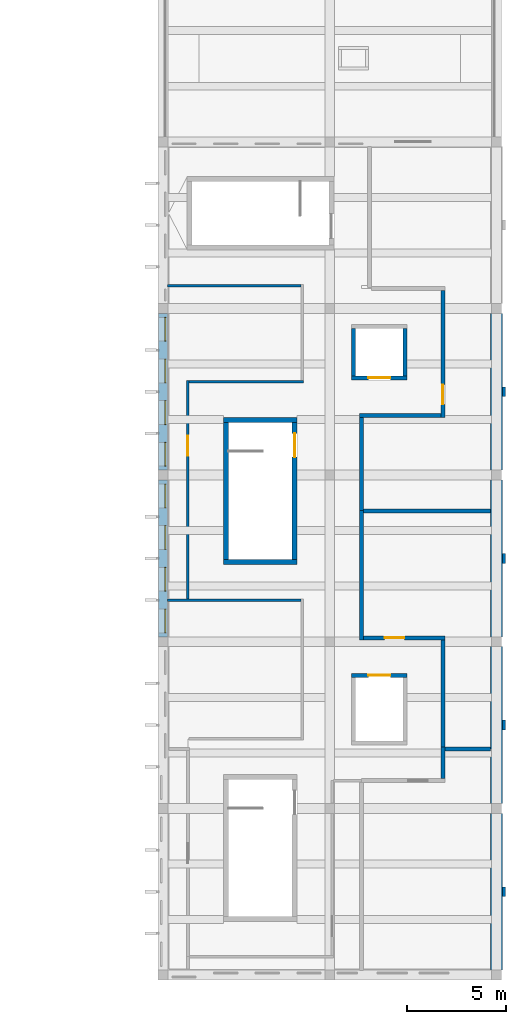
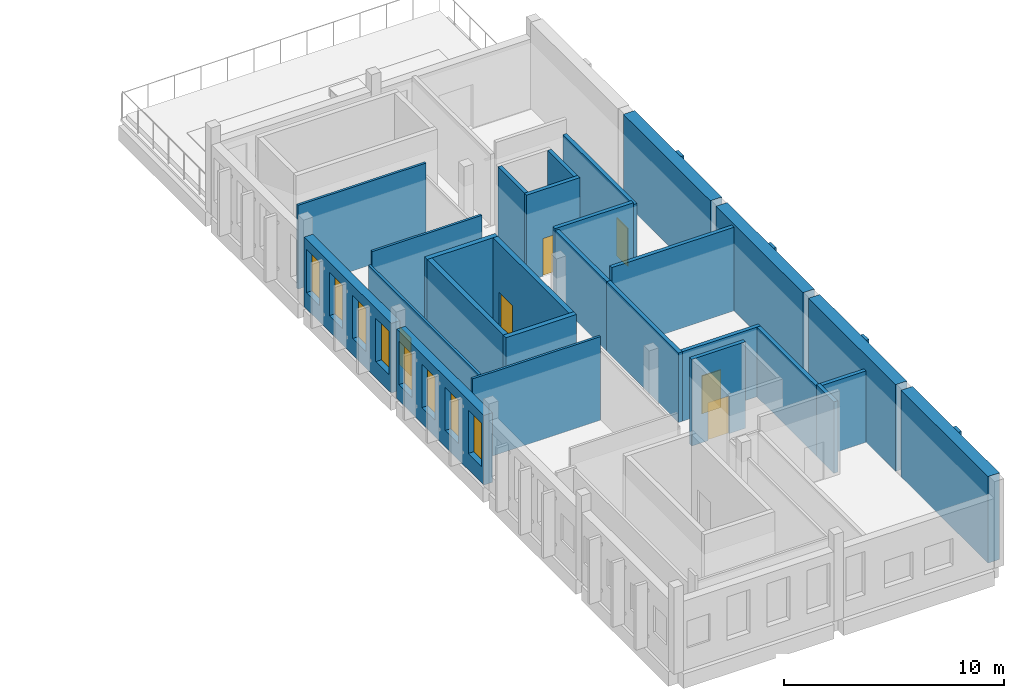
# One storey, part 27 of 47: 31 walls, 8 windows, 6 doors, 14 openings.
"""IFC4 building model written with IfcOpenShell, lengths in metres."""

from ifc_helpers import new_model, si_unit, direction, frame, frame_2d, origin, place, context, subcontext, project, spatial, rectangle, extrude, material, layer, layer_set, type_object, element, fill, save


model = new_model("IFC4")

# Units and contexts
model_context = context("Model", 3, precision=1e-05, world=origin(), true_north=direction((0.0, 1.0)))
body_context = subcontext(model_context, "Body", "Model", "MODEL_VIEW")
ifc_project = project(units=[si_unit("LENGTHUNIT", "METRE"), si_unit("AREAUNIT", "SQUARE_METRE"), si_unit("VOLUMEUNIT", "CUBIC_METRE"), si_unit("PLANEANGLEUNIT", "RADIAN"), si_unit("MASSUNIT", "GRAM", prefix="KILO")], contexts=[model_context])

# Site, building, storey
site_placement = place(None, origin())
site = spatial("IfcSite", under=ifc_project, at=site_placement, CompositionType="ELEMENT")
building_placement = place(site_placement, origin())
building = spatial("IfcBuilding", under=site, at=building_placement, Name="Larchfold Concert Hall", CompositionType="ELEMENT")
storey_placement = place(building_placement, frame((0.0, 0.0, 24.0)))
storey = spatial("IfcBuildingStorey", under=building, at=storey_placement, Name="L05", CompositionType="ELEMENT", Elevation=24.0)

# Walls
ifc_material_1 = material(Name="Plasterboard partition on steel studs", Category="steel")
ifc_layer_1 = layer(ifc_material_1, 0.199951171875)
ifc_layer_set_1 = layer_set([ifc_layer_1], Name="Plasterboard partition on steel studs")
wall_type_1 = type_object("IfcWallType", Name="Acoustic partition 200", PredefinedType="PARTITIONING", material=ifc_layer_set_1)
wall_1_placement = place(storey_placement, frame((98.699951171875, 10.5, 0.0), z_axis=(0.0, 0.0, 1.0), x_axis=(0.0, 1.0, 0.0)))
element("IfcWall", 1, at=wall_1_placement, inside=storey, type_object=wall_type_1, Name="Partition IW0052", PredefinedType="PARTITIONING", context=body_context, shape_type="SweptSolid", body=[
    extrude(rectangle(XDim=1.60009765625, YDim=0.199951171875, at=frame_2d((0.800048828125, 0.0))), origin(), (0.0, 0.0, 1.0), 3.9599609375),
])
wall_2_placement = place(storey_placement, frame((98.800048828125, 12.0, 0.0), z_axis=(0.0, 0.0, 1.0), x_axis=(1.0, 0.0, 0.0)))
element("IfcWall", 2, at=wall_2_placement, inside=storey, type_object=wall_type_1, Name="Partition IW0053", PredefinedType="PARTITIONING", context=body_context, shape_type="SweptSolid", body=[
    extrude(rectangle(XDim=2.300048828125, YDim=0.199951171875, at=frame_2d((1.14990234375, 0.0))), origin(), (0.0, 0.0, 1.0), 3.9599609375),
])
wall_3_placement = place(storey_placement, frame((94.59912109375, 24.02001953125, 0.0), z_axis=(0.0, 0.0, 1.0), x_axis=(0.0, -1.0, 0.0)))
element("IfcWall", 3, at=wall_3_placement, inside=storey, type_object=wall_type_1, Name="Partition IW0061", PredefinedType="PARTITIONING", context=body_context, shape_type="SweptSolid", body=[
    extrude(rectangle(XDim=6.52001953125, YDim=0.199951171875, at=frame_2d((3.260009765625, 0.0))), origin(), (0.0, 0.0, 1.0), 3.860107421875),
])

# Wall, opening, door
wall_4_placement = place(storey_placement, frame((94.698974609375, 17.60009765625, 0.0), z_axis=(0.0, 0.0, 1.0), x_axis=(0.99999995568, -0.000297725365, 0.0)))
wall_4 = element("IfcWall", 4, at=wall_4_placement, inside=storey, type_object=wall_type_1, Name="Partition IW0062", PredefinedType="PARTITIONING", context=body_context, shape_type="SweptSolid", body=[
    extrude(rectangle(XDim=4.10009765625, YDim=0.199951171875, at=frame_2d((2.050048828125, 0.0))), origin(), (0.0, 0.0, 1.0), 3.860107421875),
])
opening_1_placement = place(wall_4_placement, frame((1.060546875, 0.0, 0.0)))
opening_1 = element("IfcOpeningElement", 5, at=opening_1_placement, cuts=wall_4, Name="Opening D-L05-113", PredefinedType="OPENING", context=body_context, shape_type="SweptSolid", body=[
    extrude(rectangle(XDim=1.0, YDim=2.10009765625, at=frame_2d((0.5, 1.050048828125))), frame((0.0, 0.10986328125, 0.0), z_axis=(0.0, -1.0, 0.0), x_axis=(1.0, 0.0, 0.0)), (0.0, 0.0, 1.0), 0.219970703125),
])
ifc_material_2 = material(Name="Timber door leaf", Category="wood")
door_type_1 = type_object("IfcDoorType", Name="Practice and studio door, acoustic 1000 x 2100 FD30S", OperationType="SINGLE_SWING_LEFT", PredefinedType="DOOR", material=ifc_material_2)
door_1_placement = place(opening_1_placement, origin())
door_1 = element("IfcDoor", 6, at=door_1_placement, inside=storey, type_object=door_type_1, Name="Door D-L05-113", OperationType="SINGLE_SWING_LEFT", OverallHeight=2.10009765625, OverallWidth=1.0, PredefinedType="DOOR", context=body_context, shape_type="SweptSolid", body=[
    extrude(rectangle(XDim=1.0, YDim=2.10009765625, at=frame_2d((0.5, 1.050048828125))), frame((0.0, 0.02490234375, 0.0), z_axis=(0.0, -1.0, 0.0), x_axis=(1.0, 0.0, 0.0)), (0.0, 0.0, 1.0), 0.050048828125),
])
fill(opening_1, door_1)

# Wall
wall_5_placement = place(storey_placement, frame((98.698974609375, 17.4990234375, 0.0), z_axis=(0.0, 0.0, 1.0), x_axis=(0.0, -1.0, 0.0)))
element("IfcWall", 7, at=wall_5_placement, inside=storey, type_object=wall_type_1, Name="Partition IW0063", PredefinedType="PARTITIONING", context=body_context, shape_type="SweptSolid", body=[
    extrude(rectangle(XDim=5.39892578125, YDim=0.199951171875, at=frame_2d((2.699462890625, 0.0))), origin(), (0.0, 0.0, 1.0), 3.860107421875),
])

# Wall, opening, door
wall_6_placement = place(storey_placement, frame((98.698974609375, 35.09912109375, 0.0), z_axis=(0.0, 0.0, 1.0), x_axis=(0.0, -1.0, 0.0)))
wall_6 = element("IfcWall", 8, at=wall_6_placement, inside=storey, type_object=wall_type_1, Name="Partition IW0066", PredefinedType="PARTITIONING", context=body_context, shape_type="SweptSolid", body=[
    extrude(rectangle(XDim=6.398193359375, YDim=0.199951171875, at=frame_2d((3.19921875, 0.0))), origin(), (0.0, 0.0, 1.0), 3.860107421875),
])
opening_2_placement = place(wall_6_placement, frame((4.733642578125, 0.0, 0.0)))
opening_2 = element("IfcOpeningElement", 9, at=opening_2_placement, cuts=wall_6, Name="Opening D-L05-114", PredefinedType="OPENING", context=body_context, shape_type="SweptSolid", body=[
    extrude(rectangle(XDim=1.0, YDim=2.10009765625, at=frame_2d((0.5, 1.050048828125))), frame((0.0, 0.10986328125, 0.0), z_axis=(0.0, -1.0, 0.0), x_axis=(1.0, 0.0, 0.0)), (0.0, 0.0, 1.0), 0.219970703125),
])
door_2_placement = place(opening_2_placement, origin())
door_2 = element("IfcDoor", 10, at=door_2_placement, inside=storey, type_object=door_type_1, Name="Door D-L05-114", OperationType="SINGLE_SWING_LEFT", OverallHeight=2.10009765625, OverallWidth=1.0, PredefinedType="DOOR", context=body_context, shape_type="SweptSolid", body=[
    extrude(rectangle(XDim=1.0, YDim=2.10009765625, at=frame_2d((0.5, 1.050048828125))), frame((0.0, 0.02490234375, 0.0), z_axis=(0.0, -1.0, 0.0), x_axis=(1.0, 0.0, 0.0)), (0.0, 0.0, 1.0), 0.050048828125),
])
fill(opening_2, door_2)

# Walls
wall_7_placement = place(storey_placement, frame((98.59912109375, 28.801025390625, 0.0), z_axis=(0.0, 0.0, 1.0), x_axis=(-1.0, 0.0, 0.0)))
element("IfcWall", 11, at=wall_7_placement, inside=storey, type_object=wall_type_1, Name="Partition IW0067", PredefinedType="PARTITIONING", context=body_context, shape_type="SweptSolid", body=[
    extrude(rectangle(XDim=4.10009765625, YDim=0.199951171875, at=frame_2d((2.050048828125, 0.0))), origin(), (0.0, 0.0, 1.0), 3.9599609375),
])
wall_8_placement = place(storey_placement, frame((94.59912109375, 28.700927734375, 0.0), z_axis=(0.0, 0.0, 1.0), x_axis=(0.0, -1.0, 0.0)))
element("IfcWall", 12, at=wall_8_placement, inside=storey, type_object=wall_type_1, Name="Partition IW0068", PredefinedType="PARTITIONING", context=body_context, shape_type="SweptSolid", body=[
    extrude(rectangle(XDim=4.680908203125, YDim=0.199951171875, at=frame_2d((2.34033203125, 0.0))), origin(), (0.0, 0.0, 1.0), 3.860107421875),
])
wall_9_placement = place(storey_placement, frame((94.699951171875, 24.0, 0.0), z_axis=(0.0, 0.0, 1.0), x_axis=(1.0, 0.0, 0.0)))
element("IfcWall", 13, at=wall_9_placement, inside=storey, type_object=wall_type_1, Name="Partition IW0069", PredefinedType="PARTITIONING", context=body_context, shape_type="SweptSolid", body=[
    extrude(rectangle(XDim=6.400146484375, YDim=0.199951171875, at=frame_2d((3.2001953125, 0.0))), origin(), (0.0, 0.0, 1.0), 4.639892578125),
])
ifc_material_3 = material(Name="Plasterboard partition on steel studs", Category="steel")
ifc_layer_2 = layer(ifc_material_3, 0.125)
ifc_layer_set_2 = layer_set([ifc_layer_2], Name="Plasterboard partition on steel studs")
wall_type_2 = type_object("IfcWallType", Name="Corridor partition 125 EI 60", PredefinedType="PARTITIONING", material=ifc_layer_set_2)
wall_10_placement = place(storey_placement, frame((91.53857421875, 19.5009765625, 0.0), z_axis=(0.0, 0.0, 1.0), x_axis=(-1.0, 0.0, 0.0)))
element("IfcWall", 14, at=wall_10_placement, inside=storey, type_object=wall_type_2, Name="Partition IW0055", PredefinedType="PARTITIONING", context=body_context, shape_type="SweptSolid", body=[
    extrude(rectangle(XDim=6.71337890625, YDim=0.125, at=frame_2d((3.356689453125, 0.0))), origin(), (0.0, 0.0, 1.0), 4.639892578125),
])

# Wall, opening, door
wall_11_placement = place(storey_placement, frame((85.85107421875, 19.5634765625, 0.0), z_axis=(0.0, 0.0, 1.0), x_axis=(0.0, 1.0, 0.0)))
wall_11 = element("IfcWall", 15, at=wall_11_placement, inside=storey, type_object=wall_type_2, Name="Partition IW0056", PredefinedType="PARTITIONING", context=body_context, shape_type="SweptSolid", body=[
    extrude(rectangle(XDim=10.998046875, YDim=0.125, at=frame_2d((5.4990234375, 0.0))), origin(), (0.0, 0.0, 1.0), 3.860107421875),
])
opening_3_placement = place(wall_11_placement, frame((7.220947265625, 0.0, 0.0)))
opening_3 = element("IfcOpeningElement", 16, at=opening_3_placement, cuts=wall_11, Name="Opening D-L05-112", PredefinedType="OPENING", context=body_context, shape_type="SweptSolid", body=[
    extrude(rectangle(XDim=1.0, YDim=2.10009765625, at=frame_2d((0.5, 1.050048828125))), frame((0.0, 0.072509765625, 0.0), z_axis=(0.0, -1.0, 0.0), x_axis=(1.0, 0.0, 0.0)), (0.0, 0.0, 1.0), 0.14501953125),
])
ifc_material_4 = material(Name="Timber door leaf", Category="wood")
door_type_2 = type_object("IfcDoorType", Name="Room door 1000 x 2100 FD30S", OperationType="SINGLE_SWING_LEFT", PredefinedType="DOOR", material=ifc_material_4)
door_3_placement = place(opening_3_placement, origin())
door_3 = element("IfcDoor", 17, at=door_3_placement, inside=storey, type_object=door_type_2, Name="Door D-L05-112", OperationType="SINGLE_SWING_RIGHT", OverallHeight=2.10009765625, OverallWidth=1.0, PredefinedType="DOOR", context=body_context, shape_type="SweptSolid", body=[
    extrude(rectangle(XDim=1.0, YDim=2.10009765625, at=frame_2d((0.5, 1.050048828125))), frame((0.0, 0.02490234375, 0.0), z_axis=(0.0, -1.0, 0.0), x_axis=(1.0, 0.0, 0.0)), (0.0, 0.0, 1.0), 0.050048828125),
])
fill(opening_3, door_3)

# Walls
wall_12_placement = place(storey_placement, frame((85.91357421875, 30.4990234375, 0.0), z_axis=(0.0, 0.0, 1.0), x_axis=(1.0, 0.0, 0.0)))
element("IfcWall", 18, at=wall_12_placement, inside=storey, type_object=wall_type_2, Name="Partition IW0057", PredefinedType="PARTITIONING", context=body_context, shape_type="SweptSolid", body=[
    extrude(rectangle(XDim=5.75, YDim=0.125, at=frame_2d((2.875, 0.0))), origin(), (0.0, 0.0, 1.0), 4.639892578125),
])
wall_13_placement = place(storey_placement, frame((91.53857421875, 35.35009765625, 0.0), z_axis=(0.0, 0.0, 1.0), x_axis=(-0.99999998942, 0.000145465123, 0.0)))
element("IfcWall", 19, at=wall_13_placement, inside=storey, type_object=wall_type_2, Name="Partition IW0059", PredefinedType="PARTITIONING", context=body_context, shape_type="SweptSolid", body=[
    extrude(rectangle(XDim=6.71337890625, YDim=0.125, at=frame_2d((3.356689453125, 0.0))), origin(), (0.0, 0.0, 1.0), 4.639892578125),
])

# Wall, opening, door
ifc_material_5 = material(Name="Concrete C40/50", Category="concrete")
ifc_layer_3 = layer(ifc_material_5, 0.199951171875)
ifc_layer_set_3 = layer_set([ifc_layer_3], Name="Concrete C40/50")
wall_type_3 = type_object("IfcWallType", Name="Wall RC 200 lift shaft", PredefinedType="SOLIDWALL", material=ifc_layer_set_3)
wall_14_placement = place(storey_placement, frame((94.10009765625, 15.699951171875, 0.0), z_axis=(0.0, 0.0, 1.0), x_axis=(1.0, 0.0, 0.0)))
wall_14 = element("IfcWall", 20, at=wall_14_placement, inside=storey, type_object=wall_type_3, Name="Wall W0106", PredefinedType="SOLIDWALL", context=body_context, shape_type="SweptSolid", body=[
    extrude(rectangle(XDim=2.7998046875, YDim=0.199951171875, at=frame_2d((1.39990234375, 0.0))), origin(), (0.0, 0.0, 1.0), 4.800048828125),
])
opening_4_placement = place(wall_14_placement, frame((0.849853515625, 0.0, 0.0)))
opening_4 = element("IfcOpeningElement", 21, at=opening_4_placement, cuts=wall_14, Name="Opening LD-LF06", PredefinedType="OPENING", context=body_context, shape_type="SweptSolid", body=[
    extrude(rectangle(XDim=1.10009765625, YDim=2.10009765625, at=frame_2d((0.550048828125, 1.050048828125))), frame((0.0, 0.10986328125, 0.0), z_axis=(0.0, -1.0, 0.0), x_axis=(1.0, 0.0, 0.0)), (0.0, 0.0, 1.0), 0.219970703125),
])
ifc_material_6 = material(Name="Stainless steel sliding leaves", Category="steel")
door_type_3 = type_object("IfcDoorType", Name="Lift landing door sliding 1100 x 2100", OperationType="SLIDING_TO_LEFT", PredefinedType="DOOR", material=ifc_material_6)
door_4_placement = place(opening_4_placement, origin())
door_4 = element("IfcDoor", 22, at=door_4_placement, inside=storey, type_object=door_type_3, Name="Lift landing door LF06", OperationType="SLIDING_TO_LEFT", OverallHeight=2.10009765625, OverallWidth=1.10009765625, PredefinedType="DOOR", context=body_context, shape_type="SweptSolid", body=[
    extrude(rectangle(XDim=1.10009765625, YDim=2.10009765625, at=frame_2d((0.550048828125, 1.050048828125))), frame((0.0, 0.02490234375, 0.0), z_axis=(0.0, -1.0, 0.0), x_axis=(1.0, 0.0, 0.0)), (0.0, 0.0, 1.0), 0.050048828125),
])
fill(opening_4, door_4)

wall_15_placement = place(storey_placement, frame((94.10009765625, 30.7001953125, 0.0), z_axis=(0.0, 0.0, 1.0), x_axis=(1.0, 0.0, 0.0)))
wall_15 = element("IfcWall", 23, at=wall_15_placement, inside=storey, type_object=wall_type_3, Name="Wall W0109", PredefinedType="SOLIDWALL", context=body_context, shape_type="SweptSolid", body=[
    extrude(rectangle(XDim=2.7998046875, YDim=0.199951171875, at=frame_2d((1.39990234375, 0.0))), origin(), (0.0, 0.0, 1.0), 4.800048828125),
])
opening_5_placement = place(wall_15_placement, frame((0.849853515625, 0.0, 0.0)))
opening_5 = element("IfcOpeningElement", 24, at=opening_5_placement, cuts=wall_15, Name="Opening LD-LF07", PredefinedType="OPENING", context=body_context, shape_type="SweptSolid", body=[
    extrude(rectangle(XDim=1.10009765625, YDim=2.10009765625, at=frame_2d((0.550048828125, 1.050048828125))), frame((0.0, 0.10986328125, 0.0), z_axis=(0.0, -1.0, 0.0), x_axis=(1.0, 0.0, 0.0)), (0.0, 0.0, 1.0), 0.219970703125),
])
door_5_placement = place(opening_5_placement, origin())
door_5 = element("IfcDoor", 25, at=door_5_placement, inside=storey, type_object=door_type_3, Name="Lift landing door LF07", OperationType="SLIDING_TO_LEFT", OverallHeight=2.10009765625, OverallWidth=1.10009765625, PredefinedType="DOOR", context=body_context, shape_type="SweptSolid", body=[
    extrude(rectangle(XDim=1.10009765625, YDim=2.10009765625, at=frame_2d((0.550048828125, 1.050048828125))), frame((0.0, 0.02490234375, 0.0), z_axis=(0.0, -1.0, 0.0), x_axis=(1.0, 0.0, 0.0)), (0.0, 0.0, 1.0), 0.050048828125),
])
fill(opening_5, door_5)

# Walls
for number, where, z_axis, x_axis, name in (
    (26, (94.2001953125, 30.800048828125, 0.0), (0.0, 0.0, 1.0), (0.0, 1.0, 0.0), "Wall W0111"),
    (27, (96.7998046875, 30.800048828125, 0.0), (0.0, 0.0, 1.0), (0.0, 1.0, 0.0), "Wall W0112"),
):
    element("IfcWall", number, at=place(storey_placement, frame(where, z_axis=z_axis, x_axis=x_axis)), inside=storey, type_object=wall_type_3, Name=name, PredefinedType="SOLIDWALL", context=body_context, shape_type="SweptSolid", body=[
        extrude(rectangle(XDim=2.39990234375, YDim=0.199951171875, at=frame_2d((1.199951171875, 0.0))), origin(), (0.0, 0.0, 1.0), 4.800048828125),
    ])
ifc_material_7 = material(Name="Concrete C40/50", Category="concrete")
ifc_layer_4 = layer(ifc_material_7, 0.25)
ifc_layer_set_4 = layer_set([ifc_layer_4], Name="Concrete C40/50")
wall_type_4 = type_object("IfcWallType", Name="Wall RC 250 stair core", PredefinedType="SOLIDWALL", material=ifc_layer_set_4)
for number, where, z_axis, x_axis, name in (
    (28, (87.64990234375, 21.425048828125, 0.0), (0.0, 0.0, 1.0), (1.0, 0.0, 0.0), "Wall W0077"),
    (29, (87.64990234375, 28.574951171875, 0.0), (0.0, 0.0, 1.0), (1.0, 0.0, 0.0), "Wall W0078"),
):
    element("IfcWall", number, at=place(storey_placement, frame(where, z_axis=z_axis, x_axis=x_axis)), inside=storey, type_object=wall_type_4, Name=name, PredefinedType="SOLIDWALL", context=body_context, shape_type="SweptSolid", body=[
        extrude(rectangle(XDim=3.7001953125, YDim=0.25, at=frame_2d((1.85009765625, 0.0))), origin(), (0.0, 0.0, 1.0), 4.800048828125),
    ])
wall_16_placement = place(storey_placement, frame((87.77490234375, 21.550048828125, 0.0), z_axis=(0.0, 0.0, 1.0), x_axis=(0.0, 1.0, 0.0)))
element("IfcWall", 30, at=wall_16_placement, inside=storey, type_object=wall_type_4, Name="Wall W0079", PredefinedType="SOLIDWALL", context=body_context, shape_type="SweptSolid", body=[
    extrude(rectangle(XDim=6.89990234375, YDim=0.25, at=frame_2d((3.449951171875, 0.0))), origin(), (0.0, 0.0, 1.0), 4.800048828125),
])

# Wall, opening, door
wall_17_placement = place(storey_placement, frame((91.22509765625, 21.550048828125, 0.0), z_axis=(0.0, 0.0, 1.0), x_axis=(0.0, 1.0, 0.0)))
wall_17 = element("IfcWall", 31, at=wall_17_placement, inside=storey, type_object=wall_type_4, Name="Wall W0080", PredefinedType="SOLIDWALL", context=body_context, shape_type="SweptSolid", body=[
    extrude(rectangle(XDim=6.89990234375, YDim=0.25, at=frame_2d((3.449951171875, 0.0))), origin(), (0.0, 0.0, 1.0), 4.800048828125),
])
opening_6_placement = place(wall_17_placement, frame((5.14990234375, 0.0, 0.0)))
opening_6 = element("IfcOpeningElement", 32, at=opening_6_placement, cuts=wall_17, Name="Opening D-L05-128", PredefinedType="OPENING", context=body_context, shape_type="SweptSolid", body=[
    extrude(rectangle(XDim=1.199951171875, YDim=2.10009765625, at=frame_2d((0.60009765625, 1.050048828125))), frame((0.0, 0.135009765625, 0.0), z_axis=(0.0, -1.0, 0.0), x_axis=(1.0, 0.0, 0.0)), (0.0, 0.0, 1.0), 0.27001953125),
])
ifc_material_8 = material(Name="Timber door leaf", Category="wood")
door_type_4 = type_object("IfcDoorType", Name="Stair enclosure door pair 1200 x 2100 FD60", OperationType="SINGLE_SWING_LEFT", PredefinedType="DOOR", material=ifc_material_8)
door_6_placement = place(opening_6_placement, origin())
door_6 = element("IfcDoor", 33, at=door_6_placement, inside=storey, type_object=door_type_4, Name="Door D-L05-128", OperationType="DOUBLE_DOOR_SINGLE_SWING", OverallHeight=2.10009765625, OverallWidth=1.199951171875, PredefinedType="DOOR", context=body_context, shape_type="SweptSolid", body=[
    extrude(rectangle(XDim=1.199951171875, YDim=2.10009765625, at=frame_2d((0.60009765625, 1.050048828125))), frame((0.0, 0.02490234375, 0.0), z_axis=(0.0, -1.0, 0.0), x_axis=(1.0, 0.0, 0.0)), (0.0, 0.0, 1.0), 0.050048828125),
])
fill(opening_6, door_6)

# Walls
ifc_material_9 = material(Name="Concrete C40/50", Category="concrete")
ifc_layer_5 = layer(ifc_material_9, 0.60009765625)
ifc_layer_set_5 = layer_set([ifc_layer_5], Name="Concrete C40/50")
wall_type_5 = type_object("IfcWallType", Name="Wall RC 600 party wall", PredefinedType="SOLIDWALL", material=ifc_layer_set_5)
for number, where, z_axis, x_axis, name in (
    (34, (101.39990234375, 0.85009765625, 0.0), (0.0, 0.0, 1.0), (0.0, 1.0, 0.0), "Wall W0020"),
    (35, (101.39990234375, 9.25, 0.0), (0.0, 0.0, 1.0), (0.0, 1.0, 0.0), "Wall W0021"),
):
    element("IfcWall", number, at=place(storey_placement, frame(where, z_axis=z_axis, x_axis=x_axis)), inside=storey, type_object=wall_type_5, Name=name, PredefinedType="SOLIDWALL", context=body_context, shape_type="SweptSolid", body=[
        extrude(rectangle(XDim=7.89990234375, YDim=0.60009765625, at=frame_2d((3.949951171875, 0.0))), origin(), (0.0, 0.0, 1.0), 4.800048828125),
    ])
wall_18_placement = place(storey_placement, frame((101.39990234375, 17.64990234375, 0.0), z_axis=(0.0, 0.0, 1.0), x_axis=(0.0, 1.0, 0.0)))
element("IfcWall", 36, at=wall_18_placement, inside=storey, type_object=wall_type_5, Name="Wall W0022", PredefinedType="SOLIDWALL", context=body_context, shape_type="SweptSolid", body=[
    extrude(rectangle(XDim=7.900146484375, YDim=0.60009765625, at=frame_2d((3.9501953125, 0.0))), origin(), (0.0, 0.0, 1.0), 4.800048828125),
])
wall_19_placement = place(storey_placement, frame((101.39990234375, 26.050048828125, 0.0), z_axis=(0.0, 0.0, 1.0), x_axis=(0.0, 1.0, 0.0)))
element("IfcWall", 37, at=wall_19_placement, inside=storey, type_object=wall_type_5, Name="Wall W0023", PredefinedType="SOLIDWALL", context=body_context, shape_type="SweptSolid", body=[
    extrude(rectangle(XDim=7.89990234375, YDim=0.60009765625, at=frame_2d((3.949951171875, 0.0))), origin(), (0.0, 0.0, 1.0), 4.800048828125),
])

# Wall, openings, windows
ifc_material_10 = material(Name="White render on mineral wool and block")
ifc_layer_6 = layer(ifc_material_10, 0.449951171875)
ifc_layer_set_6 = layer_set([ifc_layer_6], Name="White render on mineral wool and block")
wall_type_6 = type_object("IfcWallType", Name="White render infill wall 450", PredefinedType="SOLIDWALL", material=ifc_layer_set_6)
wall_20_placement = place(storey_placement, frame((84.60009765625, 33.949951171875, 0.0), z_axis=(0.0, 0.0, 1.0), x_axis=(0.0, -1.0, 0.0)))
wall_20 = element("IfcWall", 38, at=wall_20_placement, inside=storey, type_object=wall_type_6, Name="Infill wall W5179", PredefinedType="SOLIDWALL", context=body_context, shape_type="SweptSolid", body=[
    extrude(rectangle(XDim=7.89990234375, YDim=0.449951171875, at=frame_2d((3.949951171875, 0.0))), origin(), (0.0, 0.0, 1.0), 3.860107421875),
])
opening_7_placement = place(wall_20_placement, frame((6.5, 0.0, 0.89990234375)))
opening_7 = element("IfcOpeningElement", 39, at=opening_7_placement, cuts=wall_20, Name="Opening WN-L05-026", PredefinedType="OPENING", context=body_context, shape_type="SweptSolid", body=[
    extrude(rectangle(XDim=1.199951171875, YDim=2.39990234375, at=frame_2d((0.60009765625, 1.199951171875))), frame((0.0, 0.23486328125, 0.0), z_axis=(0.0, -1.0, 0.0), x_axis=(1.0, 0.0, 0.0)), (0.0, 0.0, 1.0), 0.469970703125),
])
opening_8_placement = place(wall_20_placement, frame((4.39990234375, 0.0, 0.89990234375)))
opening_8 = element("IfcOpeningElement", 40, at=opening_8_placement, cuts=wall_20, Name="Opening WN-L05-027", PredefinedType="OPENING", context=body_context, shape_type="SweptSolid", body=[
    extrude(rectangle(XDim=1.199951171875, YDim=2.39990234375, at=frame_2d((0.60009765625, 1.199951171875))), frame((0.0, 0.23486328125, 0.0), z_axis=(0.0, -1.0, 0.0), x_axis=(1.0, 0.0, 0.0)), (0.0, 0.0, 1.0), 0.469970703125),
])
opening_9_placement = place(wall_20_placement, frame((2.300048828125, 0.0, 0.89990234375)))
opening_9 = element("IfcOpeningElement", 41, at=opening_9_placement, cuts=wall_20, Name="Opening WN-L05-028", PredefinedType="OPENING", context=body_context, shape_type="SweptSolid", body=[
    extrude(rectangle(XDim=1.199951171875, YDim=2.39990234375, at=frame_2d((0.60009765625, 1.199951171875))), frame((0.0, 0.23486328125, 0.0), z_axis=(0.0, -1.0, 0.0), x_axis=(1.0, 0.0, 0.0)), (0.0, 0.0, 1.0), 0.469970703125),
])
opening_10_placement = place(wall_20_placement, frame((0.199951171875, 0.0, 0.89990234375)))
opening_10 = element("IfcOpeningElement", 42, at=opening_10_placement, cuts=wall_20, Name="Opening WN-L05-029", PredefinedType="OPENING", context=body_context, shape_type="SweptSolid", body=[
    extrude(rectangle(XDim=1.199951171875, YDim=2.39990234375, at=frame_2d((0.60009765625, 1.199951171875))), frame((0.0, 0.23486328125, 0.0), z_axis=(0.0, -1.0, 0.0), x_axis=(1.0, 0.0, 0.0)), (0.0, 0.0, 1.0), 0.469970703125),
])
ifc_material_11 = material(Name="Anodised graphite aluminium frame with glass", Category="aluminium")
window_type = type_object("IfcWindowType", Name="Slot window 1200x2400", PartitioningType="SINGLE_PANEL", PredefinedType="WINDOW", material=ifc_material_11)
window_1_placement = place(opening_7_placement, origin())
window_1 = element("IfcWindow", 43, at=window_1_placement, inside=storey, type_object=window_type, Name="Window WN-L05-026", OverallHeight=2.39990234375, OverallWidth=1.199951171875, PartitioningType="SINGLE_PANEL", PredefinedType="WINDOW", context=body_context, shape_type="SweptSolid", body=[
    extrude(rectangle(XDim=1.199951171875, YDim=2.39990234375, at=frame_2d((0.60009765625, 1.199951171875))), frame((0.0, 0.135009765625, 0.0), z_axis=(0.0, -1.0, 0.0), x_axis=(1.0, 0.0, 0.0)), (0.0, 0.0, 1.0), 0.06005859375),
])
fill(opening_7, window_1)
window_2_placement = place(opening_8_placement, origin())
window_2 = element("IfcWindow", 44, at=window_2_placement, inside=storey, type_object=window_type, Name="Window WN-L05-027", OverallHeight=2.39990234375, OverallWidth=1.199951171875, PartitioningType="SINGLE_PANEL", PredefinedType="WINDOW", context=body_context, shape_type="SweptSolid", body=[
    extrude(rectangle(XDim=1.199951171875, YDim=2.39990234375, at=frame_2d((0.60009765625, 1.199951171875))), frame((0.0, 0.135009765625, 0.0), z_axis=(0.0, -1.0, 0.0), x_axis=(1.0, 0.0, 0.0)), (0.0, 0.0, 1.0), 0.06005859375),
])
fill(opening_8, window_2)
window_3_placement = place(opening_9_placement, origin())
window_3 = element("IfcWindow", 45, at=window_3_placement, inside=storey, type_object=window_type, Name="Window WN-L05-028", OverallHeight=2.39990234375, OverallWidth=1.199951171875, PartitioningType="SINGLE_PANEL", PredefinedType="WINDOW", context=body_context, shape_type="SweptSolid", body=[
    extrude(rectangle(XDim=1.199951171875, YDim=2.39990234375, at=frame_2d((0.60009765625, 1.199951171875))), frame((0.0, 0.135009765625, 0.0), z_axis=(0.0, -1.0, 0.0), x_axis=(1.0, 0.0, 0.0)), (0.0, 0.0, 1.0), 0.06005859375),
])
fill(opening_9, window_3)
window_4_placement = place(opening_10_placement, origin())
window_4 = element("IfcWindow", 46, at=window_4_placement, inside=storey, type_object=window_type, Name="Window WN-L05-029", OverallHeight=2.39990234375, OverallWidth=1.199951171875, PartitioningType="SINGLE_PANEL", PredefinedType="WINDOW", context=body_context, shape_type="SweptSolid", body=[
    extrude(rectangle(XDim=1.199951171875, YDim=2.39990234375, at=frame_2d((0.60009765625, 1.199951171875))), frame((0.0, 0.135009765625, 0.0), z_axis=(0.0, -1.0, 0.0), x_axis=(1.0, 0.0, 0.0)), (0.0, 0.0, 1.0), 0.06005859375),
])
fill(opening_10, window_4)

wall_21_placement = place(storey_placement, frame((84.60009765625, 25.550048828125, 0.0), z_axis=(0.0, 0.0, 1.0), x_axis=(0.0, -1.0, 0.0)))
wall_21 = element("IfcWall", 47, at=wall_21_placement, inside=storey, type_object=wall_type_6, Name="Infill wall W5180", PredefinedType="SOLIDWALL", context=body_context, shape_type="SweptSolid", body=[
    extrude(rectangle(XDim=7.900146484375, YDim=0.449951171875, at=frame_2d((3.9501953125, 0.0))), origin(), (0.0, 0.0, 1.0), 3.860107421875),
])
opening_11_placement = place(wall_21_placement, frame((6.5, 0.0, 0.89990234375)))
opening_11 = element("IfcOpeningElement", 48, at=opening_11_placement, cuts=wall_21, Name="Opening WN-L05-030", PredefinedType="OPENING", context=body_context, shape_type="SweptSolid", body=[
    extrude(rectangle(XDim=1.199951171875, YDim=2.39990234375, at=frame_2d((0.60009765625, 1.199951171875))), frame((0.0, 0.23486328125, 0.0), z_axis=(0.0, -1.0, 0.0), x_axis=(1.0, 0.0, 0.0)), (0.0, 0.0, 1.0), 0.469970703125),
])
opening_12_placement = place(wall_21_placement, frame((4.400146484375, 0.0, 0.89990234375)))
opening_12 = element("IfcOpeningElement", 49, at=opening_12_placement, cuts=wall_21, Name="Opening WN-L05-031", PredefinedType="OPENING", context=body_context, shape_type="SweptSolid", body=[
    extrude(rectangle(XDim=1.199951171875, YDim=2.39990234375, at=frame_2d((0.60009765625, 1.199951171875))), frame((0.0, 0.23486328125, 0.0), z_axis=(0.0, -1.0, 0.0), x_axis=(1.0, 0.0, 0.0)), (0.0, 0.0, 1.0), 0.469970703125),
])
opening_13_placement = place(wall_21_placement, frame((2.300048828125, 0.0, 0.89990234375)))
opening_13 = element("IfcOpeningElement", 50, at=opening_13_placement, cuts=wall_21, Name="Opening WN-L05-032", PredefinedType="OPENING", context=body_context, shape_type="SweptSolid", body=[
    extrude(rectangle(XDim=1.199951171875, YDim=2.39990234375, at=frame_2d((0.60009765625, 1.199951171875))), frame((0.0, 0.23486328125, 0.0), z_axis=(0.0, -1.0, 0.0), x_axis=(1.0, 0.0, 0.0)), (0.0, 0.0, 1.0), 0.469970703125),
])
opening_14_placement = place(wall_21_placement, frame((0.199951171875, 0.0, 0.89990234375)))
opening_14 = element("IfcOpeningElement", 51, at=opening_14_placement, cuts=wall_21, Name="Opening WN-L05-033", PredefinedType="OPENING", context=body_context, shape_type="SweptSolid", body=[
    extrude(rectangle(XDim=1.199951171875, YDim=2.39990234375, at=frame_2d((0.60009765625, 1.199951171875))), frame((0.0, 0.23486328125, 0.0), z_axis=(0.0, -1.0, 0.0), x_axis=(1.0, 0.0, 0.0)), (0.0, 0.0, 1.0), 0.469970703125),
])
window_5_placement = place(opening_11_placement, origin())
window_5 = element("IfcWindow", 52, at=window_5_placement, inside=storey, type_object=window_type, Name="Window WN-L05-030", OverallHeight=2.39990234375, OverallWidth=1.199951171875, PartitioningType="SINGLE_PANEL", PredefinedType="WINDOW", context=body_context, shape_type="SweptSolid", body=[
    extrude(rectangle(XDim=1.199951171875, YDim=2.39990234375, at=frame_2d((0.60009765625, 1.199951171875))), frame((0.0, 0.135009765625, 0.0), z_axis=(0.0, -1.0, 0.0), x_axis=(1.0, 0.0, 0.0)), (0.0, 0.0, 1.0), 0.06005859375),
])
fill(opening_11, window_5)
window_6_placement = place(opening_12_placement, origin())
window_6 = element("IfcWindow", 53, at=window_6_placement, inside=storey, type_object=window_type, Name="Window WN-L05-031", OverallHeight=2.39990234375, OverallWidth=1.199951171875, PartitioningType="SINGLE_PANEL", PredefinedType="WINDOW", context=body_context, shape_type="SweptSolid", body=[
    extrude(rectangle(XDim=1.199951171875, YDim=2.39990234375, at=frame_2d((0.60009765625, 1.199951171875))), frame((0.0, 0.135009765625, 0.0), z_axis=(0.0, -1.0, 0.0), x_axis=(1.0, 0.0, 0.0)), (0.0, 0.0, 1.0), 0.06005859375),
])
fill(opening_12, window_6)
window_7_placement = place(opening_13_placement, origin())
window_7 = element("IfcWindow", 54, at=window_7_placement, inside=storey, type_object=window_type, Name="Window WN-L05-032", OverallHeight=2.39990234375, OverallWidth=1.199951171875, PartitioningType="SINGLE_PANEL", PredefinedType="WINDOW", context=body_context, shape_type="SweptSolid", body=[
    extrude(rectangle(XDim=1.199951171875, YDim=2.39990234375, at=frame_2d((0.60009765625, 1.199951171875))), frame((0.0, 0.135009765625, 0.0), z_axis=(0.0, -1.0, 0.0), x_axis=(1.0, 0.0, 0.0)), (0.0, 0.0, 1.0), 0.06005859375),
])
fill(opening_13, window_7)
window_8_placement = place(opening_14_placement, origin())
window_8 = element("IfcWindow", 55, at=window_8_placement, inside=storey, type_object=window_type, Name="Window WN-L05-033", OverallHeight=2.39990234375, OverallWidth=1.199951171875, PartitioningType="SINGLE_PANEL", PredefinedType="WINDOW", context=body_context, shape_type="SweptSolid", body=[
    extrude(rectangle(XDim=1.199951171875, YDim=2.39990234375, at=frame_2d((0.60009765625, 1.199951171875))), frame((0.0, 0.135009765625, 0.0), z_axis=(0.0, -1.0, 0.0), x_axis=(1.0, 0.0, 0.0)), (0.0, 0.0, 1.0), 0.06005859375),
])
fill(opening_14, window_8)

# Walls
ifc_material_12 = material(Name="White render on insulated block")
ifc_layer_7 = layer(ifc_material_12, 0.14990234375)
ifc_layer_set_7 = layer_set([ifc_layer_7], Name="White render on insulated block")
wall_type_7 = type_object("IfcWallType", Name="White render pilaster 150", PredefinedType="SOLIDWALL", material=ifc_layer_set_7)
for number, where, z_axis, x_axis, name in (
    (56, (101.77490234375, 4.550048828125, 0.0), (0.0, 0.0, 1.0), (0.0, 1.0, 0.0), "Pilaster W5371"),
    (57, (101.77490234375, 12.949951171875, 0.0), (0.0, 0.0, 1.0), (0.0, 1.0, 0.0), "Pilaster W5372"),
    (58, (101.77490234375, 21.35009765625, 0.0), (0.0, 0.0, 1.0), (0.0, 1.0, 0.0), "Pilaster W5373"),
    (59, (101.77490234375, 29.75, 0.0), (0.0, 0.0, 1.0), (0.0, 1.0, 0.0), "Pilaster W5374"),
):
    element("IfcWall", number, at=place(storey_placement, frame(where, z_axis=z_axis, x_axis=x_axis)), inside=storey, type_object=wall_type_7, Name=name, PredefinedType="SOLIDWALL", context=body_context, shape_type="SweptSolid", body=[
        extrude(rectangle(XDim=0.5, YDim=0.14990234375, at=frame_2d((0.25, 0.0))), origin(), (0.0, 0.0, 1.0), 4.800048828125),
    ])

save(model, "model.ifc")
